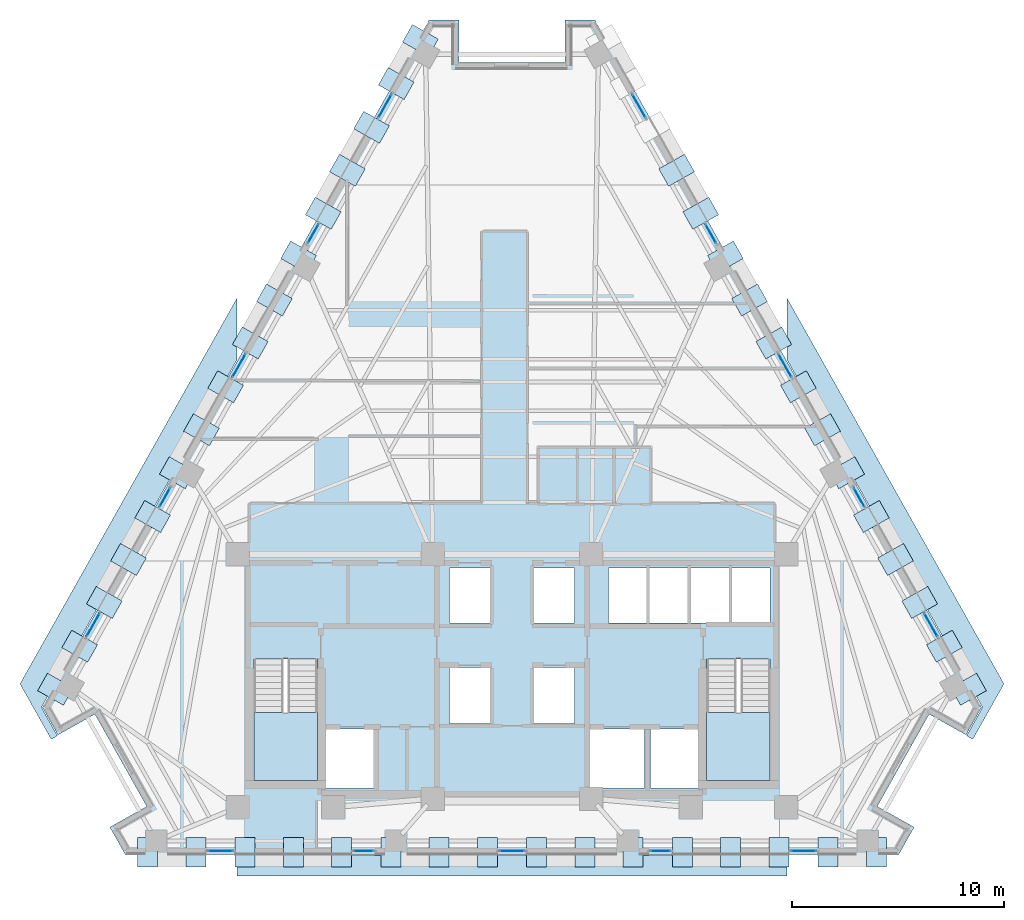
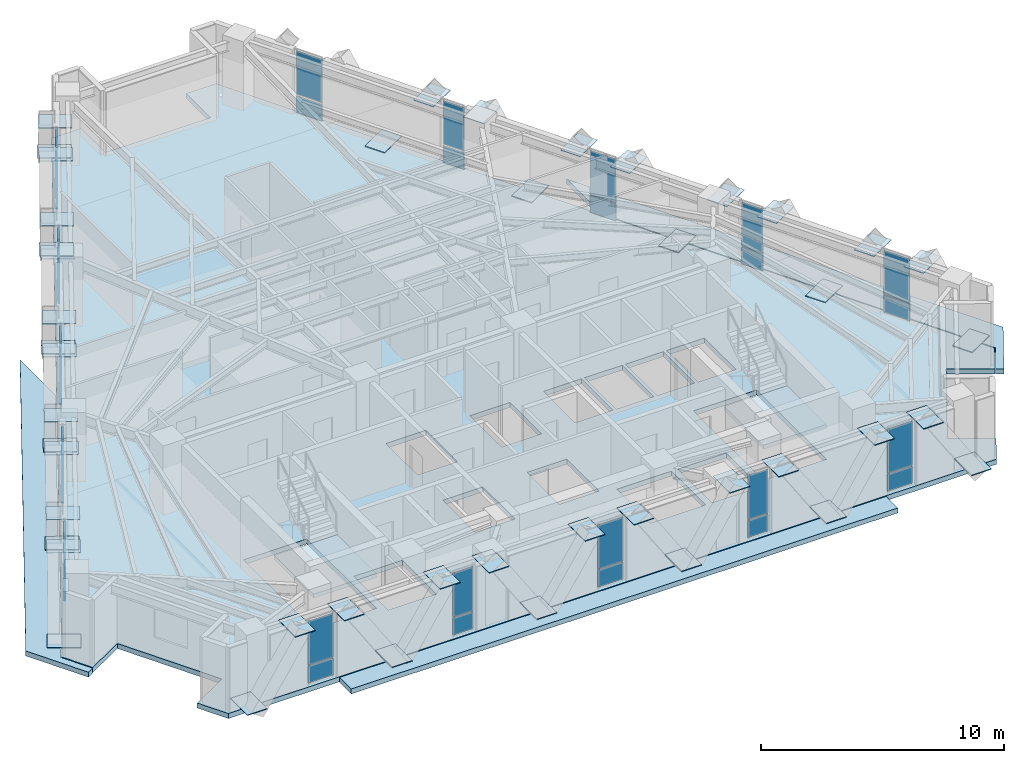
# One storey, part 6 of 13: 75 plates, 6 slabs, 17 elements without a shape of their own.
"""IFC4 building model written with IfcOpenShell, lengths in metres."""

from ifc_helpers import new_model, si_unit, direction, frame, origin, origin_2d, place, context, subcontext, project, spatial, polyline, rectangle, outline, extrude, material, layer, layer_set, type_object, element, aggregate, save


model = new_model("IFC4")

# Units and contexts
model_context = context("Model", 3, precision=1e-05, world=origin(), true_north=direction((0.0, 1.0)))
body_context = subcontext(model_context, "Body", "Model", "MODEL_VIEW")
ifc_project = project(units=[si_unit("LENGTHUNIT", "METRE"), si_unit("AREAUNIT", "SQUARE_METRE"), si_unit("VOLUMEUNIT", "CUBIC_METRE"), si_unit("PLANEANGLEUNIT", "RADIAN"), si_unit("MASSUNIT", "GRAM", prefix="KILO")], contexts=[model_context])

# Site, building, storey
site_placement = place(None, origin())
site = spatial("IfcSite", under=ifc_project, at=site_placement, CompositionType="ELEMENT")
building_placement = place(site_placement, origin())
building = spatial("IfcBuilding", under=site, at=building_placement, Name="Quenlor Broadcast Tower", CompositionType="ELEMENT")
storey_placement = place(building_placement, frame((0.0, 0.0, 130.0)))
storey = spatial("IfcBuildingStorey", under=building, at=storey_placement, Name="L35", CompositionType="ELEMENT", Elevation=130.0)

# Curtain wall, plates
ifc_material_1 = material(Name="Architectural Terracotta and Low-E Glazing", Category="masonry")
curtain_wall_type = type_object("IfcCurtainWallType", Name="Unitised Terracotta Curtain Wall System Z3", PredefinedType="NOTDEFINED", material=ifc_material_1)
curtain_wall_1_placement = place(storey_placement, origin())
curtain_wall_1 = element("IfcCurtainWall", 1, at=curtain_wall_1_placement, inside=storey, type_object=curtain_wall_type, Name="L35 Curtain Wall CW3 (L35-SA-G1)", PredefinedType="NOTDEFINED")
ifc_material_2 = material(Name="Double Glazed Low-E Solar Glass", Category="glass")
ifc_layer_1 = layer(ifc_material_2, 0.028076171875)
ifc_layer_set_1 = layer_set([ifc_layer_1], Name="CW3 Double Glazed Vision Panel 28")
plate_type_1 = type_object("IfcPlateType", Name="CW3 Double Glazed Vision Panel 28", PredefinedType="CURTAIN_PANEL", material=ifc_layer_set_1)
plate_1_placement = place(storey_placement, frame((13.77587890625, -18.824951171875, 0.06982421875), z_axis=(0.0, 0.0, 1.0), x_axis=(-1.0, 0.0, 0.0)))
plate_1 = element("IfcPlate", 2, at=plate_1_placement, type_object=plate_type_1, Name="CW3 panel 1.1", PredefinedType="CURTAIN_PANEL", context=body_context, shape_type="SweptSolid", body=[
    extrude(rectangle(XDim=1.197998046875, YDim=0.028076171875, at=origin_2d()), origin(), (0.0, 0.0, 1.0), 0.844970703125),
])
plate_2_placement = place(storey_placement, frame((13.77587890625, -18.824951171875, 0.98486328125), z_axis=(0.0, 0.0, 1.0), x_axis=(-1.0, 0.0, 0.0)))
plate_2 = element("IfcPlate", 3, at=plate_2_placement, type_object=plate_type_1, Name="CW3 panel 1.2", PredefinedType="CURTAIN_PANEL", context=body_context, shape_type="SweptSolid", body=[
    extrude(rectangle(XDim=1.197998046875, YDim=0.028076171875, at=origin_2d()), origin(), (0.0, 0.0, 1.0), 2.195068359375),
])
aggregate(curtain_wall_1, [plate_1, plate_2])

curtain_wall_2_placement = place(storey_placement, origin())
curtain_wall_2 = element("IfcCurtainWall", 4, at=curtain_wall_2_placement, inside=storey, type_object=curtain_wall_type, Name="L35 Curtain Wall CW3 (L35-SA-G2)", PredefinedType="NOTDEFINED")
plate_3_placement = place(storey_placement, frame((7.011474609375, -18.824951171875, 0.06982421875), z_axis=(0.0, 0.0, 1.0), x_axis=(-1.0, 0.0, 0.0)))
plate_3 = element("IfcPlate", 5, at=plate_3_placement, type_object=plate_type_1, Name="CW3 panel 1.1", PredefinedType="CURTAIN_PANEL", context=body_context, shape_type="SweptSolid", body=[
    extrude(rectangle(XDim=0.950927734375, YDim=0.028076171875, at=origin_2d()), origin(), (0.0, 0.0, 1.0), 0.844970703125),
])
plate_4_placement = place(storey_placement, frame((7.011474609375, -18.824951171875, 0.98486328125), z_axis=(0.0, 0.0, 1.0), x_axis=(-1.0, 0.0, 0.0)))
plate_4 = element("IfcPlate", 6, at=plate_4_placement, type_object=plate_type_1, Name="CW3 panel 1.2", PredefinedType="CURTAIN_PANEL", context=body_context, shape_type="SweptSolid", body=[
    extrude(rectangle(XDim=0.950927734375, YDim=0.028076171875, at=origin_2d()), origin(), (0.0, 0.0, 1.0), 2.195068359375),
])
aggregate(curtain_wall_2, [plate_3, plate_4])

curtain_wall_3_placement = place(storey_placement, origin())
curtain_wall_3 = element("IfcCurtainWall", 7, at=curtain_wall_3_placement, inside=storey, type_object=curtain_wall_type, Name="L35 Curtain Wall CW3 (L35-SC-G1)", PredefinedType="NOTDEFINED")
plate_5_placement = place(storey_placement, frame((-7.011474609375, -18.824951171875, 0.06982421875), z_axis=(0.0, 0.0, 1.0), x_axis=(-1.0, 0.0, 0.0)))
plate_5 = element("IfcPlate", 8, at=plate_5_placement, type_object=plate_type_1, Name="CW3 panel 1.1", PredefinedType="CURTAIN_PANEL", context=body_context, shape_type="SweptSolid", body=[
    extrude(rectangle(XDim=0.950927734375, YDim=0.028076171875, at=origin_2d()), origin(), (0.0, 0.0, 1.0), 0.844970703125),
])
plate_6_placement = place(storey_placement, frame((-7.011474609375, -18.824951171875, 0.98486328125), z_axis=(0.0, 0.0, 1.0), x_axis=(-1.0, 0.0, 0.0)))
plate_6 = element("IfcPlate", 9, at=plate_6_placement, type_object=plate_type_1, Name="CW3 panel 1.2", PredefinedType="CURTAIN_PANEL", context=body_context, shape_type="SweptSolid", body=[
    extrude(rectangle(XDim=0.950927734375, YDim=0.028076171875, at=origin_2d()), origin(), (0.0, 0.0, 1.0), 2.195068359375),
])
aggregate(curtain_wall_3, [plate_5, plate_6])

curtain_wall_4_placement = place(storey_placement, origin())
curtain_wall_4 = element("IfcCurtainWall", 10, at=curtain_wall_4_placement, inside=storey, type_object=curtain_wall_type, Name="L35 Curtain Wall CW3 (L35-SC-G2)", PredefinedType="NOTDEFINED")
plate_7_placement = place(storey_placement, frame((-13.77587890625, -18.824951171875, 0.06982421875), z_axis=(0.0, 0.0, 1.0), x_axis=(-1.0, 0.0, 0.0)))
plate_7 = element("IfcPlate", 11, at=plate_7_placement, type_object=plate_type_1, Name="CW3 panel 1.1", PredefinedType="CURTAIN_PANEL", context=body_context, shape_type="SweptSolid", body=[
    extrude(rectangle(XDim=1.197998046875, YDim=0.028076171875, at=origin_2d()), origin(), (0.0, 0.0, 1.0), 0.844970703125),
])
plate_8_placement = place(storey_placement, frame((-13.77587890625, -18.824951171875, 0.98486328125), z_axis=(0.0, 0.0, 1.0), x_axis=(-1.0, 0.0, 0.0)))
plate_8 = element("IfcPlate", 12, at=plate_8_placement, type_object=plate_type_1, Name="CW3 panel 1.2", PredefinedType="CURTAIN_PANEL", context=body_context, shape_type="SweptSolid", body=[
    extrude(rectangle(XDim=1.197998046875, YDim=0.028076171875, at=origin_2d()), origin(), (0.0, 0.0, 1.0), 2.195068359375),
])
aggregate(curtain_wall_4, [plate_7, plate_8])

curtain_wall_5_placement = place(storey_placement, origin())
curtain_wall_5 = element("IfcCurtainWall", 13, at=curtain_wall_5_placement, inside=storey, type_object=curtain_wall_type, Name="L35 Curtain Wall CW3 (L35-S-G1)", PredefinedType="NOTDEFINED")
plate_9_placement = place(storey_placement, frame((0.0, -18.824951171875, 0.06982421875), z_axis=(0.0, 0.0, 1.0), x_axis=(-1.0, 0.0, 0.0)))
plate_9 = element("IfcPlate", 14, at=plate_9_placement, type_object=plate_type_1, Name="CW3 panel 1.1", PredefinedType="CURTAIN_PANEL", context=body_context, shape_type="SweptSolid", body=[
    extrude(rectangle(XDim=1.197998046875, YDim=0.028076171875, at=origin_2d()), origin(), (0.0, 0.0, 1.0), 0.844970703125),
])
plate_10_placement = place(storey_placement, frame((0.0, -18.824951171875, 0.98486328125), z_axis=(0.0, 0.0, 1.0), x_axis=(-1.0, 0.0, 0.0)))
plate_10 = element("IfcPlate", 15, at=plate_10_placement, type_object=plate_type_1, Name="CW3 panel 1.2", PredefinedType="CURTAIN_PANEL", context=body_context, shape_type="SweptSolid", body=[
    extrude(rectangle(XDim=1.197998046875, YDim=0.028076171875, at=origin_2d()), origin(), (0.0, 0.0, 1.0), 2.195068359375),
])
aggregate(curtain_wall_5, [plate_9, plate_10])

curtain_wall_6_placement = place(storey_placement, origin())
curtain_wall_6 = element("IfcCurtainWall", 16, at=curtain_wall_6_placement, inside=storey, type_object=curtain_wall_type, Name="L35 Curtain Wall CW3 (L35-NEA-G1)", PredefinedType="NOTDEFINED")
plate_11_placement = place(storey_placement, frame((6.00146484375, 16.3740234375, 0.06982421875), z_axis=(0.0, 0.0, 1.0), x_axis=(0.490230492916, -0.871592831439, 0.0)))
plate_11 = element("IfcPlate", 17, at=plate_11_placement, type_object=plate_type_1, Name="CW3 panel 1.1", PredefinedType="CURTAIN_PANEL", context=body_context, shape_type="SweptSolid", body=[
    extrude(rectangle(XDim=1.249755859375, YDim=0.028076171875, at=origin_2d()), origin(), (0.0, 0.0, 1.0), 0.844970703125),
])
plate_12_placement = place(storey_placement, frame((6.00146484375, 16.3740234375, 0.98486328125), z_axis=(0.0, 0.0, 1.0), x_axis=(0.490230492916, -0.871592831439, 0.0)))
plate_12 = element("IfcPlate", 18, at=plate_12_placement, type_object=plate_type_1, Name="CW3 panel 1.2", PredefinedType="CURTAIN_PANEL", context=body_context, shape_type="SweptSolid", body=[
    extrude(rectangle(XDim=1.249755859375, YDim=0.028076171875, at=origin_2d()), origin(), (0.0, 0.0, 1.0), 2.195068359375),
])
aggregate(curtain_wall_6, [plate_11, plate_12])

curtain_wall_7_placement = place(storey_placement, origin())
curtain_wall_7 = element("IfcCurtainWall", 19, at=curtain_wall_7_placement, inside=storey, type_object=curtain_wall_type, Name="L35 Curtain Wall CW3 (L35-NEA-G2)", PredefinedType="NOTDEFINED")
plate_13_placement = place(storey_placement, frame((9.391357421875, 10.34716796875, 0.06982421875), z_axis=(0.0, 0.0, 1.0), x_axis=(0.490215950125, -0.871601010924, 0.0)))
plate_13 = element("IfcPlate", 20, at=plate_13_placement, type_object=plate_type_1, Name="CW3 panel 1.1", PredefinedType="CURTAIN_PANEL", context=body_context, shape_type="SweptSolid", body=[
    extrude(rectangle(XDim=1.01318359375, YDim=0.028076171875, at=origin_2d()), origin(), (0.0, 0.0, 1.0), 0.844970703125),
])
plate_14_placement = place(storey_placement, frame((9.391357421875, 10.34716796875, 0.98486328125), z_axis=(0.0, 0.0, 1.0), x_axis=(0.490215950125, -0.871601010924, 0.0)))
plate_14 = element("IfcPlate", 21, at=plate_14_placement, type_object=plate_type_1, Name="CW3 panel 1.2", PredefinedType="CURTAIN_PANEL", context=body_context, shape_type="SweptSolid", body=[
    extrude(rectangle(XDim=1.01318359375, YDim=0.028076171875, at=origin_2d()), origin(), (0.0, 0.0, 1.0), 2.195068359375),
])
aggregate(curtain_wall_7, [plate_13, plate_14])

curtain_wall_8_placement = place(storey_placement, origin())
curtain_wall_8 = element("IfcCurtainWall", 22, at=curtain_wall_8_placement, inside=storey, type_object=curtain_wall_type, Name="L35 Curtain Wall CW3 (L35-NEC-G1)", PredefinedType="NOTDEFINED")
plate_15_placement = place(storey_placement, frame((16.403564453125, -2.118896484375, 0.06982421875), z_axis=(0.0, 0.0, 1.0), x_axis=(0.490253004657, -0.871580169247, 0.0)))
plate_15 = element("IfcPlate", 23, at=plate_15_placement, type_object=plate_type_1, Name="CW3 panel 1.1", PredefinedType="CURTAIN_PANEL", context=body_context, shape_type="SweptSolid", body=[
    extrude(rectangle(XDim=1.01318359375, YDim=0.028076171875, at=origin_2d()), origin(), (0.0, 0.0, 1.0), 0.844970703125),
])
plate_16_placement = place(storey_placement, frame((16.403564453125, -2.118896484375, 0.98486328125), z_axis=(0.0, 0.0, 1.0), x_axis=(0.490253004657, -0.871580169247, 0.0)))
plate_16 = element("IfcPlate", 24, at=plate_16_placement, type_object=plate_type_1, Name="CW3 panel 1.2", PredefinedType="CURTAIN_PANEL", context=body_context, shape_type="SweptSolid", body=[
    extrude(rectangle(XDim=1.01318359375, YDim=0.028076171875, at=origin_2d()), origin(), (0.0, 0.0, 1.0), 2.195068359375),
])
aggregate(curtain_wall_8, [plate_15, plate_16])

curtain_wall_9_placement = place(storey_placement, origin())
curtain_wall_9 = element("IfcCurtainWall", 25, at=curtain_wall_9_placement, inside=storey, type_object=curtain_wall_type, Name="L35 Curtain Wall CW3 (L35-NEC-G2)", PredefinedType="NOTDEFINED")
plate_17_placement = place(storey_placement, frame((19.793701171875, -8.145751953125, 0.06982421875), z_axis=(0.0, 0.0, 1.0), x_axis=(0.490261239636, -0.871575537123, 0.0)))
plate_17 = element("IfcPlate", 26, at=plate_17_placement, type_object=plate_type_1, Name="CW3 panel 1.1", PredefinedType="CURTAIN_PANEL", context=body_context, shape_type="SweptSolid", body=[
    extrude(rectangle(XDim=1.249755859375, YDim=0.028076171875, at=origin_2d()), origin(), (0.0, 0.0, 1.0), 0.844970703125),
])
plate_18_placement = place(storey_placement, frame((19.793701171875, -8.145751953125, 0.98486328125), z_axis=(0.0, 0.0, 1.0), x_axis=(0.490261239636, -0.871575537123, 0.0)))
plate_18 = element("IfcPlate", 27, at=plate_18_placement, type_object=plate_type_1, Name="CW3 panel 1.2", PredefinedType="CURTAIN_PANEL", context=body_context, shape_type="SweptSolid", body=[
    extrude(rectangle(XDim=1.249755859375, YDim=0.028076171875, at=origin_2d()), origin(), (0.0, 0.0, 1.0), 2.195068359375),
])
aggregate(curtain_wall_9, [plate_17, plate_18])

curtain_wall_10_placement = place(storey_placement, origin())
curtain_wall_10 = element("IfcCurtainWall", 28, at=curtain_wall_10_placement, inside=storey, type_object=curtain_wall_type, Name="L35 Curtain Wall CW3 (L35-NE-G1)", PredefinedType="NOTDEFINED")
plate_19_placement = place(storey_placement, frame((12.8974609375, 4.1142578125, 0.06982421875), z_axis=(0.0, 0.0, 1.0), x_axis=(0.490285152484, -0.871562085714, 0.0)))
plate_19 = element("IfcPlate", 29, at=plate_19_placement, type_object=plate_type_1, Name="CW3 panel 1.1", PredefinedType="CURTAIN_PANEL", context=body_context, shape_type="SweptSolid", body=[
    extrude(rectangle(XDim=1.249755859375, YDim=0.028076171875, at=origin_2d()), origin(), (0.0, 0.0, 1.0), 0.844970703125),
])
plate_20_placement = place(storey_placement, frame((12.8974609375, 4.1142578125, 0.98486328125), z_axis=(0.0, 0.0, 1.0), x_axis=(0.490285152484, -0.871562085714, 0.0)))
plate_20 = element("IfcPlate", 30, at=plate_20_placement, type_object=plate_type_1, Name="CW3 panel 1.2", PredefinedType="CURTAIN_PANEL", context=body_context, shape_type="SweptSolid", body=[
    extrude(rectangle(XDim=1.249755859375, YDim=0.028076171875, at=origin_2d()), origin(), (0.0, 0.0, 1.0), 2.195068359375),
])
aggregate(curtain_wall_10, [plate_19, plate_20])

curtain_wall_11_placement = place(storey_placement, origin())
curtain_wall_11 = element("IfcCurtainWall", 31, at=curtain_wall_11_placement, inside=storey, type_object=curtain_wall_type, Name="L35 Curtain Wall CW3 (L35-NWA-G1)", PredefinedType="NOTDEFINED")
plate_21_placement = place(storey_placement, frame((-19.793701171875, -8.145751953125, 0.06982421875), z_axis=(0.0, 0.0, 1.0), x_axis=(0.490261239636, 0.871575537123, 0.0)))
plate_21 = element("IfcPlate", 32, at=plate_21_placement, type_object=plate_type_1, Name="CW3 panel 1.1", PredefinedType="CURTAIN_PANEL", context=body_context, shape_type="SweptSolid", body=[
    extrude(rectangle(XDim=1.249755859375, YDim=0.028076171875, at=origin_2d()), origin(), (0.0, 0.0, 1.0), 0.844970703125),
])
plate_22_placement = place(storey_placement, frame((-19.793701171875, -8.145751953125, 0.98486328125), z_axis=(0.0, 0.0, 1.0), x_axis=(0.490261239636, 0.871575537123, 0.0)))
plate_22 = element("IfcPlate", 33, at=plate_22_placement, type_object=plate_type_1, Name="CW3 panel 1.2", PredefinedType="CURTAIN_PANEL", context=body_context, shape_type="SweptSolid", body=[
    extrude(rectangle(XDim=1.249755859375, YDim=0.028076171875, at=origin_2d()), origin(), (0.0, 0.0, 1.0), 2.195068359375),
])
aggregate(curtain_wall_11, [plate_21, plate_22])

curtain_wall_12_placement = place(storey_placement, origin())
curtain_wall_12 = element("IfcCurtainWall", 34, at=curtain_wall_12_placement, inside=storey, type_object=curtain_wall_type, Name="L35 Curtain Wall CW3 (L35-NWA-G2)", PredefinedType="NOTDEFINED")
plate_23_placement = place(storey_placement, frame((-16.403564453125, -2.118896484375, 0.06982421875), z_axis=(0.0, 0.0, 1.0), x_axis=(0.490253004657, 0.871580169247, 0.0)))
plate_23 = element("IfcPlate", 35, at=plate_23_placement, type_object=plate_type_1, Name="CW3 panel 1.1", PredefinedType="CURTAIN_PANEL", context=body_context, shape_type="SweptSolid", body=[
    extrude(rectangle(XDim=1.01318359375, YDim=0.028076171875, at=origin_2d()), origin(), (0.0, 0.0, 1.0), 0.844970703125),
])
plate_24_placement = place(storey_placement, frame((-16.403564453125, -2.118896484375, 0.98486328125), z_axis=(0.0, 0.0, 1.0), x_axis=(0.490253004657, 0.871580169247, 0.0)))
plate_24 = element("IfcPlate", 36, at=plate_24_placement, type_object=plate_type_1, Name="CW3 panel 1.2", PredefinedType="CURTAIN_PANEL", context=body_context, shape_type="SweptSolid", body=[
    extrude(rectangle(XDim=1.01318359375, YDim=0.028076171875, at=origin_2d()), origin(), (0.0, 0.0, 1.0), 2.195068359375),
])
aggregate(curtain_wall_12, [plate_23, plate_24])

curtain_wall_13_placement = place(storey_placement, origin())
curtain_wall_13 = element("IfcCurtainWall", 37, at=curtain_wall_13_placement, inside=storey, type_object=curtain_wall_type, Name="L35 Curtain Wall CW3 (L35-NWC-G1)", PredefinedType="NOTDEFINED")
plate_25_placement = place(storey_placement, frame((-9.391357421875, 10.34716796875, 0.06982421875), z_axis=(0.0, 0.0, 1.0), x_axis=(0.490215950125, 0.871601010924, 0.0)))
plate_25 = element("IfcPlate", 38, at=plate_25_placement, type_object=plate_type_1, Name="CW3 panel 1.1", PredefinedType="CURTAIN_PANEL", context=body_context, shape_type="SweptSolid", body=[
    extrude(rectangle(XDim=1.01318359375, YDim=0.028076171875, at=origin_2d()), origin(), (0.0, 0.0, 1.0), 0.844970703125),
])
plate_26_placement = place(storey_placement, frame((-9.391357421875, 10.34716796875, 0.98486328125), z_axis=(0.0, 0.0, 1.0), x_axis=(0.490215950125, 0.871601010924, 0.0)))
plate_26 = element("IfcPlate", 39, at=plate_26_placement, type_object=plate_type_1, Name="CW3 panel 1.2", PredefinedType="CURTAIN_PANEL", context=body_context, shape_type="SweptSolid", body=[
    extrude(rectangle(XDim=1.01318359375, YDim=0.028076171875, at=origin_2d()), origin(), (0.0, 0.0, 1.0), 2.195068359375),
])
aggregate(curtain_wall_13, [plate_25, plate_26])

curtain_wall_14_placement = place(storey_placement, origin())
curtain_wall_14 = element("IfcCurtainWall", 40, at=curtain_wall_14_placement, inside=storey, type_object=curtain_wall_type, Name="L35 Curtain Wall CW3 (L35-NWC-G2)", PredefinedType="NOTDEFINED")
plate_27_placement = place(storey_placement, frame((-6.00146484375, 16.3740234375, 0.06982421875), z_axis=(0.0, 0.0, 1.0), x_axis=(0.490230492916, 0.871592831439, 0.0)))
plate_27 = element("IfcPlate", 41, at=plate_27_placement, type_object=plate_type_1, Name="CW3 panel 1.1", PredefinedType="CURTAIN_PANEL", context=body_context, shape_type="SweptSolid", body=[
    extrude(rectangle(XDim=1.249755859375, YDim=0.028076171875, at=origin_2d()), origin(), (0.0, 0.0, 1.0), 0.844970703125),
])
plate_28_placement = place(storey_placement, frame((-6.00146484375, 16.3740234375, 0.98486328125), z_axis=(0.0, 0.0, 1.0), x_axis=(0.490230492916, 0.871592831439, 0.0)))
plate_28 = element("IfcPlate", 42, at=plate_28_placement, type_object=plate_type_1, Name="CW3 panel 1.2", PredefinedType="CURTAIN_PANEL", context=body_context, shape_type="SweptSolid", body=[
    extrude(rectangle(XDim=1.249755859375, YDim=0.028076171875, at=origin_2d()), origin(), (0.0, 0.0, 1.0), 2.195068359375),
])
aggregate(curtain_wall_14, [plate_27, plate_28])

curtain_wall_15_placement = place(storey_placement, origin())
curtain_wall_15 = element("IfcCurtainWall", 43, at=curtain_wall_15_placement, inside=storey, type_object=curtain_wall_type, Name="L35 Curtain Wall CW3 (L35-NW-G1)", PredefinedType="NOTDEFINED")
plate_29_placement = place(storey_placement, frame((-12.8974609375, 4.1142578125, 0.06982421875), z_axis=(0.0, 0.0, 1.0), x_axis=(0.490285152484, 0.871562085714, 0.0)))
plate_29 = element("IfcPlate", 44, at=plate_29_placement, type_object=plate_type_1, Name="CW3 panel 1.1", PredefinedType="CURTAIN_PANEL", context=body_context, shape_type="SweptSolid", body=[
    extrude(rectangle(XDim=1.249755859375, YDim=0.028076171875, at=origin_2d()), origin(), (0.0, 0.0, 1.0), 0.844970703125),
])
plate_30_placement = place(storey_placement, frame((-12.8974609375, 4.1142578125, 0.98486328125), z_axis=(0.0, 0.0, 1.0), x_axis=(0.490285152484, 0.871562085714, 0.0)))
plate_30 = element("IfcPlate", 45, at=plate_30_placement, type_object=plate_type_1, Name="CW3 panel 1.2", PredefinedType="CURTAIN_PANEL", context=body_context, shape_type="SweptSolid", body=[
    extrude(rectangle(XDim=1.249755859375, YDim=0.028076171875, at=origin_2d()), origin(), (0.0, 0.0, 1.0), 2.195068359375),
])
aggregate(curtain_wall_15, [plate_29, plate_30])

# Stair, slab
ifc_material_3 = material(Name="Precast concrete C40/50", Category="concrete")
stair_type = type_object("IfcStairType", Name="Precast Concrete C40/50 Dogleg Stair H350", PredefinedType="HALF_TURN_STAIR", material=ifc_material_3)
stair_1_placement = place(storey_placement, origin())
stair_1 = element("IfcStair", 46, at=stair_1_placement, inside=storey, type_object=stair_type, Name="L35 West Core Fire-Isolated Exit Stair ST-1", PredefinedType="HALF_TURN_STAIR")
ifc_material_4 = material(Name="Precast concrete C40/50", Category="concrete")
ifc_layer_2 = layer(ifc_material_4, 0.199951171875)
ifc_layer_set_2 = layer_set([ifc_layer_2], Name="Precast Concrete C40/50 Stair Landing Slab 200")
slab_type_1 = type_object("IfcSlabType", Name="Precast Concrete C40/50 Stair Landing Slab 200", PredefinedType="LANDING", material=ifc_layer_set_2)
slab_1_placement = place(storey_placement, frame((0.0, 0.0, 1.550048828125)))
slab_1 = element("IfcSlab", 47, at=slab_1_placement, type_object=slab_type_1, Name="ST-1 landing 1", PredefinedType="LANDING", context=body_context, shape_type="SweptSolid", body=[
    extrude(outline(polyline([(-12.199951171875, -12.27001953125), (-12.199951171875, -15.5), (-9.199951171875, -15.5), (-9.199951171875, -12.27001953125), (-12.199951171875, -12.27001953125)])), origin(), (0.0, 0.0, 1.0), 0.199951171875),
])
aggregate(stair_1, [slab_1])

stair_2_placement = place(storey_placement, origin())
stair_2 = element("IfcStair", 48, at=stair_2_placement, inside=storey, type_object=stair_type, Name="L35 East Core Fire-Isolated Exit Stair ST-2", PredefinedType="HALF_TURN_STAIR")
slab_2_placement = place(storey_placement, frame((0.0, 0.0, 1.550048828125)))
slab_2 = element("IfcSlab", 49, at=slab_2_placement, type_object=slab_type_1, Name="ST-2 landing 1", PredefinedType="LANDING", context=body_context, shape_type="SweptSolid", body=[
    extrude(outline(polyline([(9.199951171875, -12.27001953125), (9.199951171875, -15.5), (12.199951171875, -15.5), (12.199951171875, -12.27001953125), (9.199951171875, -12.27001953125)])), origin(), (0.0, 0.0, 1.0), 0.199951171875),
])
aggregate(stair_2, [slab_2])

# Slabs
ifc_material_5 = material(Name="Concrete C40/50", Category="concrete")
ifc_layer_3 = layer(ifc_material_5, 0.25)
ifc_layer_set_3 = layer_set([ifc_layer_3], Name="Tower Composite Concrete C40/50 Slab 250")
slab_type_2 = type_object("IfcSlabType", Name="Tower Composite Concrete C40/50 Slab 250", PredefinedType="FLOOR", material=ifc_layer_set_3)
slab_3_placement = place(storey_placement, frame((0.0, 0.0, -0.25)))
element("IfcSlab", 50, at=slab_3_placement, inside=storey, type_object=slab_type_2, Name="L35 Structural Floor Slab", PredefinedType="FLOOR", context=body_context, shape_type="SweptSolid", body=[
    extrude(outline(polyline([(18.27001953125, -19.0), (19.001708984375, -17.698974609375), (17.2587890625, -16.718505859375), (19.7099609375, -12.360595703125), (21.453125, -13.341064453125), (22.18505859375, -12.0400390625), (3.9150390625, 20.43994140625), (2.5, 20.43994140625), (2.5, 18.43994140625), (-2.5, 18.43994140625), (-2.5, 20.43994140625), (-3.9150390625, 20.43994140625), (-22.18505859375, -12.0400390625), (-21.453125, -13.341064453125), (-19.7099609375, -12.360595703125), (-17.2587890625, -16.718505859375), (-19.001708984375, -17.698974609375), (-18.27001953125, -19.0), (18.27001953125, -19.0)]), holes=[polyline([(-12.199951171875, -9.758056640625), (-12.199951171875, -15.5), (-9.199951171875, -15.5), (-9.199951171875, -9.758056640625), (-12.199951171875, -9.758056640625)]), polyline([(9.199951171875, -9.758056640625), (9.199951171875, -15.5), (12.199951171875, -15.5), (12.199951171875, -9.758056640625), (9.199951171875, -9.758056640625)]), polyline([(-2.949951171875, -8.050048828125), (-1.050048828125, -8.050048828125), (-1.050048828125, -5.449951171875), (-2.949951171875, -5.449951171875), (-2.949951171875, -8.050048828125)]), polyline([(1.050048828125, -8.050048828125), (2.949951171875, -8.050048828125), (2.949951171875, -5.449951171875), (1.050048828125, -5.449951171875), (1.050048828125, -8.050048828125)]), polyline([(-2.949951171875, -12.800048828125), (-1.050048828125, -12.800048828125), (-1.050048828125, -10.14990234375), (-2.949951171875, -10.14990234375), (-2.949951171875, -12.800048828125)]), polyline([(1.050048828125, -12.800048828125), (2.949951171875, -12.800048828125), (2.949951171875, -10.14990234375), (1.050048828125, -10.14990234375), (1.050048828125, -12.800048828125)]), polyline([(4.550048828125, -8.050048828125), (6.35009765625, -8.050048828125), (6.35009765625, -5.449951171875), (4.550048828125, -5.449951171875), (4.550048828125, -8.050048828125)]), polyline([(6.5, -8.050048828125), (8.300048828125, -8.050048828125), (8.300048828125, -5.449951171875), (6.5, -5.449951171875), (6.5, -8.050048828125)]), polyline([(8.449951171875, -8.050048828125), (10.25, -8.050048828125), (10.25, -5.449951171875), (8.449951171875, -5.449951171875), (8.449951171875, -8.050048828125)]), polyline([(10.39990234375, -8.050048828125), (12.199951171875, -8.050048828125), (12.199951171875, -5.449951171875), (10.39990234375, -5.449951171875), (10.39990234375, -8.050048828125)]), polyline([(-8.85009765625, -15.85009765625), (-6.550048828125, -15.85009765625), (-6.550048828125, -13.050048828125), (-8.85009765625, -13.050048828125), (-8.85009765625, -15.85009765625)]), polyline([(6.550048828125, -15.85009765625), (8.85009765625, -15.85009765625), (8.85009765625, -13.050048828125), (6.550048828125, -13.050048828125), (6.550048828125, -15.85009765625)]), polyline([(3.64990234375, -15.85009765625), (6.25, -15.85009765625), (6.25, -13.050048828125), (3.64990234375, -13.050048828125), (3.64990234375, -15.85009765625)])]), origin(), (0.0, 0.0, 1.0), 0.25),
])
ifc_material_6 = material(Name="Concrete C40/50", Category="concrete")
ifc_layer_4 = layer(ifc_material_6, 0.25)
ifc_layer_set_4 = layer_set([ifc_layer_4], Name="Tower Setback Weatherproof Concrete C40/50 Roof Slab 250")
slab_type_3 = type_object("IfcSlabType", Name="Tower Setback Weatherproof Concrete C40/50 Roof Slab 250", PredefinedType="ROOF", material=ifc_layer_set_4)
slab_4_placement = place(storey_placement, frame((0.0, 0.0, -0.25)))
element("IfcSlab", 51, at=slab_4_placement, inside=storey, type_object=slab_type_3, Name="L35 Setback Weatherproof Roof Slab 1", PredefinedType="ROOF", context=body_context, shape_type="SweptSolid", body=[
    extrude(outline(polyline([(-23.2470703125, -10.927978515625), (-13.0, 7.288818359375), (-13.0, 4.37060546875), (-22.23095703125, -12.0400390625), (-21.477294921875, -13.379638671875), (-21.774169921875, -13.54638671875), (-23.2470703125, -10.927978515625)])), origin(), (0.0, 0.0, 1.0), 0.25),
])
slab_5_placement = place(storey_placement, frame((0.0, 0.0, -0.25)))
element("IfcSlab", 52, at=slab_5_placement, inside=storey, type_object=slab_type_3, Name="L35 Setback Weatherproof Roof Slab 2", PredefinedType="ROOF", context=body_context, shape_type="SweptSolid", body=[
    extrude(outline(polyline([(23.2470703125, -10.927978515625), (21.774169921875, -13.54638671875), (21.477294921875, -13.379638671875), (22.23095703125, -12.0400390625), (13.0, 4.37060546875), (13.0, 7.288818359375), (23.2470703125, -10.927978515625)])), origin(), (0.0, 0.0, 1.0), 0.25),
])
slab_6_placement = place(storey_placement, frame((0.0, 0.0, -0.25)))
element("IfcSlab", 53, at=slab_6_placement, inside=storey, type_object=slab_type_3, Name="L35 Setback Weatherproof Roof Slab 3", PredefinedType="ROOF", context=body_context, shape_type="SweptSolid", body=[
    extrude(outline(polyline([(-13.0, -20.0), (-13.0, -19.0400390625), (13.0, -19.0400390625), (13.0, -20.0), (-13.0, -20.0)])), origin(), (0.0, 0.0, 1.0), 0.25),
])

# Plates
ifc_material_7 = material(Name="Steel S355", Category="steel")
ifc_layer_5 = layer(ifc_material_7, 0.035888671875)
ifc_layer_set_5 = layer_set([ifc_layer_5], Name="Transfer Truss Steel S355 Gusset Node Plate 1400x950x36")
plate_type_2 = type_object("IfcPlateType", Name="Transfer Truss Steel S355 Gusset Node Plate 1400x950x36", PredefinedType="SHEET", material=ifc_layer_set_5)
for number, where, z_axis, x_axis, name in (
    (54, (17.219970703125, -18.885009765625, 0.0419921875), (0.0, 0.0, 1.0), (0.0, -1.0, 0.0), "L35 Lattice Tie Gusset Node S-B0"),
    (55, (14.937744140625, -18.885009765625, 3.18212890625), (0.0, 0.0, 1.0), (0.0, -1.0, 0.0), "L35 Lattice Tie Gusset Node S-T1"),
    (56, (10.33203125, -18.885009765625, 0.0419921875), (0.0, 0.0, 1.0), (0.0, -1.0, 0.0), "L35 Lattice Tie Gusset Node S-B3"),
    (57, (12.6142578125, -18.885009765625, 3.18212890625), (0.0, 0.0, 1.0), (0.0, -1.0, 0.0), "L35 Lattice Tie Gusset Node S-T2"),
    (58, (8.0498046875, -18.885009765625, 3.18212890625), (0.0, 0.0, 1.0), (0.0, -1.0, 0.0), "L35 Lattice Tie Gusset Node S-T4"),
    (59, (3.444091796875, -18.885009765625, 0.0419921875), (0.0, 0.0, 1.0), (0.0, -1.0, 0.0), "L35 Lattice Tie Gusset Node S-B6"),
    (60, (5.726318359375, -18.885009765625, 3.18212890625), (0.0, 0.0, 1.0), (0.0, -1.0, 0.0), "L35 Lattice Tie Gusset Node S-T5"),
    (61, (1.161865234375, -18.885009765625, 3.18212890625), (0.0, 0.0, 1.0), (0.0, -1.0, 0.0), "L35 Lattice Tie Gusset Node S-T7"),
    (62, (-3.444091796875, -18.885009765625, 0.0419921875), (0.0, 0.0, 1.0), (0.0, -1.0, 0.0), "L35 Lattice Tie Gusset Node S-B9"),
    (63, (-1.161865234375, -18.885009765625, 3.18212890625), (0.0, 0.0, 1.0), (0.0, -1.0, 0.0), "L35 Lattice Tie Gusset Node S-T8"),
    (64, (-5.726318359375, -18.885009765625, 3.18212890625), (0.0, 0.0, 1.0), (0.0, -1.0, 0.0), "L35 Lattice Tie Gusset Node S-T10"),
    (65, (-10.33203125, -18.885009765625, 0.0419921875), (0.0, 0.0, 1.0), (0.0, -1.0, 0.0), "L35 Lattice Tie Gusset Node S-B12"),
    (66, (-8.0498046875, -18.885009765625, 3.18212890625), (0.0, 0.0, 1.0), (0.0, -1.0, 0.0), "L35 Lattice Tie Gusset Node S-T11"),
    (67, (-12.6142578125, -18.885009765625, 3.18212890625), (0.0, 0.0, 1.0), (0.0, -1.0, 0.0), "L35 Lattice Tie Gusset Node S-T13"),
    (68, (-17.219970703125, -18.885009765625, 0.0419921875), (0.0, 0.0, 1.0), (0.0, -1.0, 0.0), "L35 Lattice Tie Gusset Node S-B15"),
    (69, (-14.937744140625, -18.885009765625, 3.18212890625), (0.0, 0.0, 1.0), (0.0, -1.0, 0.0), "L35 Lattice Tie Gusset Node S-T14"),
    (70, (7.777587890625, 13.33837890625, 0.0419921875), (0.0, 0.0, 1.0), (0.871556314255, 0.490295412055, 0.0), "L35 Lattice Tie Gusset Node NE-B3"),
    (71, (8.920166015625, 11.3076171875, 3.18212890625), (0.0, 0.0, 1.0), (0.871556314255, 0.490295412055, 0.0), "L35 Lattice Tie Gusset Node NE-T4"),
    (72, (11.2255859375, 7.20849609375, 0.0419921875), (0.0, 0.0, 1.0), (0.871556314255, 0.490295412055, 0.0), "L35 Lattice Tie Gusset Node NE-B6"),
    (73, (10.083251953125, 9.239501953125, 3.18212890625), (0.0, 0.0, 1.0), (0.871556314255, 0.490295412055, 0.0), "L35 Lattice Tie Gusset Node NE-T5"),
    (74, (12.3681640625, 5.177490234375, 3.18212890625), (0.0, 0.0, 1.0), (0.871556314255, 0.490295412055, 0.0), "L35 Lattice Tie Gusset Node NE-T7"),
    (75, (14.673828125, 1.07861328125, 0.0419921875), (0.0, 0.0, 1.0), (0.871556314255, 0.490295412055, 0.0), "L35 Lattice Tie Gusset Node NE-B9"),
    (76, (13.531494140625, 3.109619140625, 3.18212890625), (0.0, 0.0, 1.0), (0.871556314255, 0.490295412055, 0.0), "L35 Lattice Tie Gusset Node NE-T8"),
    (77, (15.81640625, -0.952392578125, 3.18212890625), (0.0, 0.0, 1.0), (0.871556314255, 0.490295412055, 0.0), "L35 Lattice Tie Gusset Node NE-T10"),
    (78, (18.121826171875, -5.05126953125, 0.0419921875), (0.0, 0.0, 1.0), (0.871556314255, 0.490295412055, 0.0), "L35 Lattice Tie Gusset Node NE-B12"),
    (79, (16.9794921875, -3.020263671875, 3.18212890625), (0.0, 0.0, 1.0), (0.871556314255, 0.490295412055, 0.0), "L35 Lattice Tie Gusset Node NE-T11"),
    (80, (19.264404296875, -7.082275390625, 3.18212890625), (0.0, 0.0, 1.0), (0.871556314255, 0.490295412055, 0.0), "L35 Lattice Tie Gusset Node NE-T13"),
    (81, (21.570068359375, -11.18115234375, 0.0419921875), (0.0, 0.0, 1.0), (0.871556314255, 0.490295412055, 0.0), "L35 Lattice Tie Gusset Node NE-B15"),
    (82, (20.427490234375, -9.150146484375, 3.18212890625), (0.0, 0.0, 1.0), (0.871556314255, 0.490295412055, 0.0), "L35 Lattice Tie Gusset Node NE-T14"),
    (83, (-21.570068359375, -11.18115234375, 0.0419921875), (0.0, 0.0, 1.0), (-0.871556314255, 0.490295412055, 0.0), "L35 Lattice Tie Gusset Node NW-B0"),
    (84, (-20.427490234375, -9.150146484375, 3.18212890625), (0.0, 0.0, 1.0), (-0.871556314255, 0.490295412055, 0.0), "L35 Lattice Tie Gusset Node NW-T1"),
    (85, (-18.121826171875, -5.05126953125, 0.0419921875), (0.0, 0.0, 1.0), (-0.871556314255, 0.490295412055, 0.0), "L35 Lattice Tie Gusset Node NW-B3"),
    (86, (-19.264404296875, -7.082275390625, 3.18212890625), (0.0, 0.0, 1.0), (-0.871556314255, 0.490295412055, 0.0), "L35 Lattice Tie Gusset Node NW-T2"),
    (87, (-16.9794921875, -3.020263671875, 3.18212890625), (0.0, 0.0, 1.0), (-0.871556314255, 0.490295412055, 0.0), "L35 Lattice Tie Gusset Node NW-T4"),
    (88, (-14.673828125, 1.07861328125, 0.0419921875), (0.0, 0.0, 1.0), (-0.871556314255, 0.490295412055, 0.0), "L35 Lattice Tie Gusset Node NW-B6"),
    (89, (-15.81640625, -0.952392578125, 3.18212890625), (0.0, 0.0, 1.0), (-0.871556314255, 0.490295412055, 0.0), "L35 Lattice Tie Gusset Node NW-T5"),
    (90, (-13.531494140625, 3.109619140625, 3.18212890625), (0.0, 0.0, 1.0), (-0.871556314255, 0.490295412055, 0.0), "L35 Lattice Tie Gusset Node NW-T7"),
    (91, (-11.2255859375, 7.20849609375, 0.0419921875), (0.0, 0.0, 1.0), (-0.871556314255, 0.490295412055, 0.0), "L35 Lattice Tie Gusset Node NW-B9"),
    (92, (-12.3681640625, 5.177490234375, 3.18212890625), (0.0, 0.0, 1.0), (-0.871556314255, 0.490295412055, 0.0), "L35 Lattice Tie Gusset Node NW-T8"),
    (93, (-10.083251953125, 9.239501953125, 3.18212890625), (0.0, 0.0, 1.0), (-0.871556314255, 0.490295412055, 0.0), "L35 Lattice Tie Gusset Node NW-T10"),
    (94, (-7.777587890625, 13.33837890625, 0.0419921875), (0.0, 0.0, 1.0), (-0.871556314255, 0.490295412055, 0.0), "L35 Lattice Tie Gusset Node NW-B12"),
    (95, (-8.920166015625, 11.3076171875, 3.18212890625), (0.0, 0.0, 1.0), (-0.871556314255, 0.490295412055, 0.0), "L35 Lattice Tie Gusset Node NW-T11"),
    (96, (-6.63525390625, 15.36962890625, 3.18212890625), (0.0, 0.0, 1.0), (-0.871556314255, 0.490295412055, 0.0), "L35 Lattice Tie Gusset Node NW-T13"),
    (97, (-4.32958984375, 19.468505859375, 0.0419921875), (0.0, 0.0, 1.0), (-0.871556314255, 0.490295412055, 0.0), "L35 Lattice Tie Gusset Node NW-B15"),
    (98, (-5.471923828125, 17.4375, 3.18212890625), (0.0, 0.0, 1.0), (-0.871556314255, 0.490295412055, 0.0), "L35 Lattice Tie Gusset Node NW-T14"),
):
    element("IfcPlate", number, at=place(storey_placement, frame(where, z_axis=z_axis, x_axis=x_axis)), inside=storey, type_object=plate_type_2, Name=name, PredefinedType="SHEET", context=body_context, shape_type="SweptSolid", body=[
        extrude(rectangle(XDim=1.39990234375, YDim=0.949951171875, at=origin_2d()), origin(), (0.0, 0.0, 1.0), 0.035888671875),
    ])

save(model, "model.ifc")
